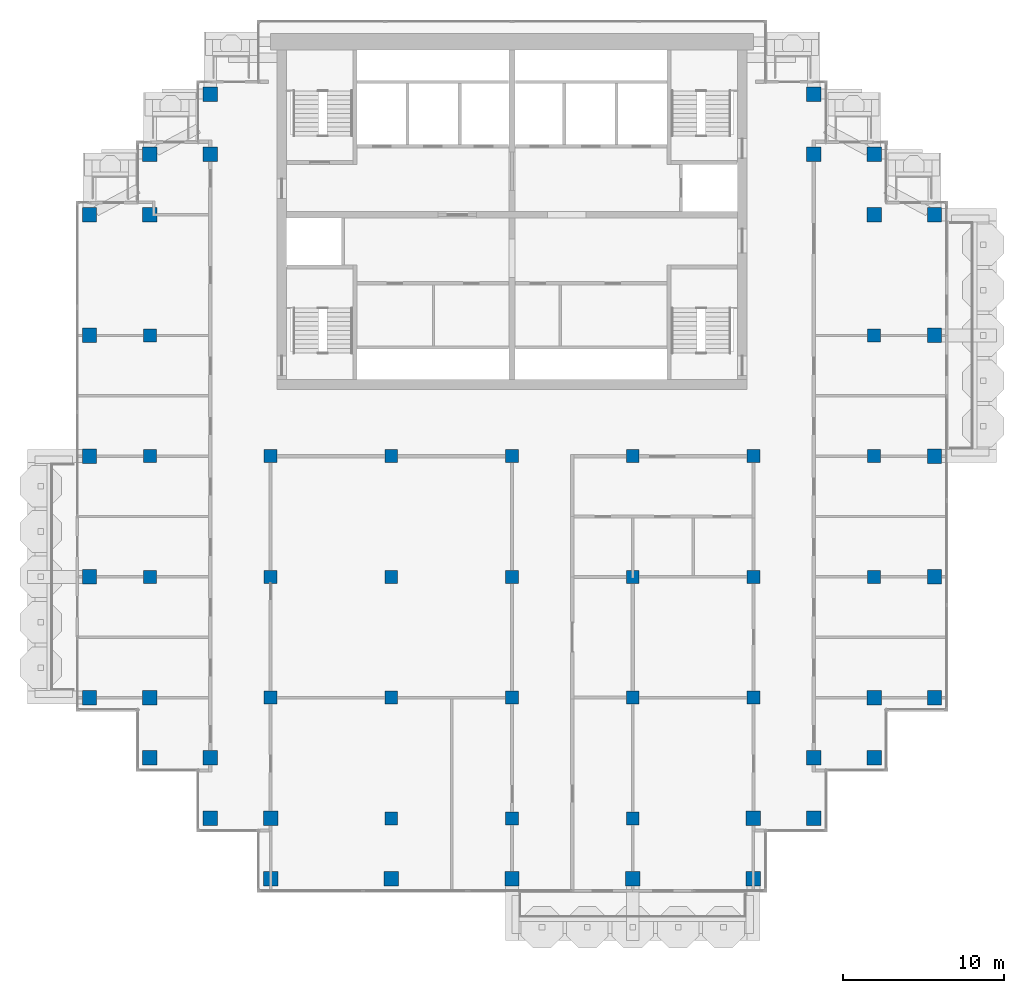
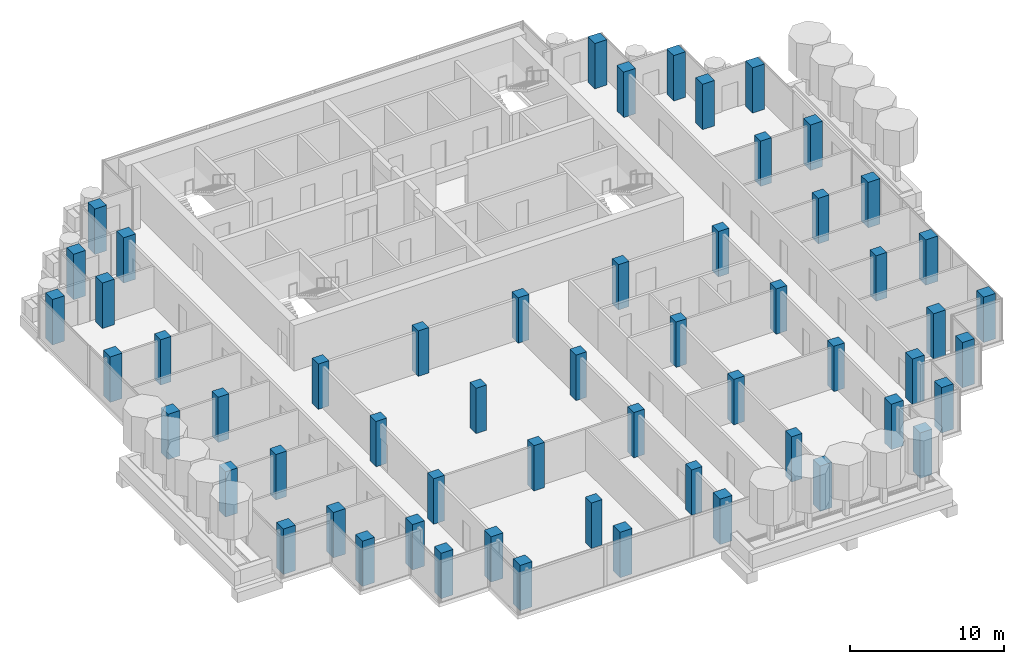
# One storey, part 1 of 19: 57 columns.
"""IFC4 building model written with IfcOpenShell, lengths in metres."""

from ifc_helpers import new_model, si_unit, direction, frame, origin, origin_2d, place, context, subcontext, project, spatial, rectangle, extrude, material, material_profile, profile_set, type_object, element, save


model = new_model("IFC4")

# Units and contexts
model_context = context("Model", 3, precision=1e-05, world=origin(), true_north=direction((0.0, 1.0)))
body_context = subcontext(model_context, "Body", "Model", "MODEL_VIEW")
ifc_project = project(units=[si_unit("LENGTHUNIT", "METRE"), si_unit("AREAUNIT", "SQUARE_METRE"), si_unit("VOLUMEUNIT", "CUBIC_METRE"), si_unit("PLANEANGLEUNIT", "RADIAN"), si_unit("MASSUNIT", "GRAM", prefix="KILO")], contexts=[model_context])

# Site, building, storey
site_placement = place(None, origin())
site = spatial("IfcSite", under=ifc_project, at=site_placement, CompositionType="ELEMENT")
building_placement = place(site_placement, origin())
building = spatial("IfcBuilding", under=site, at=building_placement, Name="Pilkhan Gate Tower", CompositionType="ELEMENT")
storey_placement = place(building_placement, frame((0.0, 0.0, 239.10009765625)))
storey = spatial("IfcBuildingStorey", under=building, at=storey_placement, Name="L62", CompositionType="ELEMENT", Elevation=239.10009765625)

# Columns
ifc_material = material(Name="Concrete C50/60", Category="concrete")
ifc_material_profile_1 = material_profile(ifc_material, rectangle(XDim=0.800048828125, YDim=0.800048828125, at=origin_2d()), Name="RC 800x800")
ifc_profile_set_1 = profile_set([ifc_material_profile_1], Name="Concrete C50/60")
column_type_1 = type_object("IfcColumnType", Name="Column C80 RC 800x800 C50/60", PredefinedType="COLUMN", material=ifc_profile_set_1)
for number, where, z_axis, x_axis, name in (
    (1, (52.5, 60.0, 0.0), (0.0, 0.0, 1.0), (1.0, 0.0, 0.0), "Column 5/F L62"),
    (2, (52.5, 67.5, 0.0), (0.0, 0.0, 1.0), (1.0, 0.0, 0.0), "Column 5/H L62"),
    (3, (52.5, 75.0, 0.0), (0.0, 0.0, 1.0), (1.0, 0.0, 0.0), "Column 5/K L62"),
    (4, (60.0, 52.5, 0.0), (0.0, 0.0, 1.0), (1.0, 0.0, 0.0), "Column 7/D L62"),
    (5, (60.0, 60.0, 0.0), (0.0, 0.0, 1.0), (1.0, 0.0, 0.0), "Column 7/F L62"),
    (6, (60.0, 67.5, 0.0), (0.0, 0.0, 1.0), (1.0, 0.0, 0.0), "Column 7/H L62"),
    (7, (67.5, 45.0, 0.0), (0.0, 0.0, 1.0), (1.0, 0.0, 0.0), "Column 9/B L62"),
    (8, (67.5, 52.5, 0.0), (0.0, 0.0, 1.0), (1.0, 0.0, 0.0), "Column 9/D L62"),
    (9, (67.5, 60.0, 0.0), (0.0, 0.0, 1.0), (1.0, 0.0, 0.0), "Column 9/F L62"),
    (10, (67.5, 67.5, 0.0), (0.0, 0.0, 1.0), (1.0, 0.0, 0.0), "Column 9/H L62"),
    (11, (75.0, 45.0, 0.0), (0.0, 0.0, 1.0), (1.0, 0.0, 0.0), "Column 11/B L62"),
    (12, (75.0, 52.5, 0.0), (0.0, 0.0, 1.0), (1.0, 0.0, 0.0), "Column 11/D L62"),
    (13, (75.0, 60.0, 0.0), (0.0, 0.0, 1.0), (1.0, 0.0, 0.0), "Column 11/F L62"),
    (14, (75.0, 67.5, 0.0), (0.0, 0.0, 1.0), (1.0, 0.0, 0.0), "Column 11/H L62"),
    (15, (82.5, 45.0, 0.0), (0.0, 0.0, 1.0), (1.0, 0.0, 0.0), "Column 13/B L62"),
    (16, (82.5, 52.5, 0.0), (0.0, 0.0, 1.0), (1.0, 0.0, 0.0), "Column 13/D L62"),
    (17, (82.5, 60.0, 0.0), (0.0, 0.0, 1.0), (1.0, 0.0, 0.0), "Column 13/F L62"),
    (18, (82.5, 67.5, 0.0), (0.0, 0.0, 1.0), (1.0, 0.0, 0.0), "Column 13/H L62"),
    (19, (90.0, 52.5, 0.0), (0.0, 0.0, 1.0), (1.0, 0.0, 0.0), "Column 15/D L62"),
    (20, (90.0, 60.0, 0.0), (0.0, 0.0, 1.0), (1.0, 0.0, 0.0), "Column 15/F L62"),
    (21, (90.0, 67.5, 0.0), (0.0, 0.0, 1.0), (1.0, 0.0, 0.0), "Column 15/H L62"),
    (22, (97.5, 60.0, 0.0), (0.0, 0.0, 1.0), (1.0, 0.0, 0.0), "Column 17/F L62"),
    (23, (97.5, 67.5, 0.0), (0.0, 0.0, 1.0), (1.0, 0.0, 0.0), "Column 17/H L62"),
    (24, (97.5, 75.0, 0.0), (0.0, 0.0, 1.0), (1.0, 0.0, 0.0), "Column 17/K L62"),
):
    element("IfcColumn", number, at=place(storey_placement, frame(where, z_axis=z_axis, x_axis=x_axis)), inside=storey, type_object=column_type_1, Name=name, PredefinedType="COLUMN", context=body_context, shape_type="SweptSolid", body=[
        extrude(rectangle(XDim=0.800048828125, YDim=0.800048828125, at=origin_2d()), origin(), (0.0, 0.0, 1.0), 3.599853515625),
    ])
ifc_material_profile_2 = material_profile(ifc_material, rectangle(XDim=0.89990234375, YDim=0.89990234375, at=origin_2d()), Name="RC 900x900")
ifc_profile_set_2 = profile_set([ifc_material_profile_2], Name="Concrete C50/60")
column_type_2 = type_object("IfcColumnType", Name="Column C90 RC 900x900 C50/60", PredefinedType="COLUMN", material=ifc_profile_set_2)
for number, where, z_axis, x_axis, name in (
    (25, (48.75, 52.5, 0.0), (0.0, 0.0, 1.0), (1.0, 0.0, 0.0), "Column 4/D L62"),
    (26, (48.75, 60.0, 0.0), (0.0, 0.0, 1.0), (1.0, 0.0, 0.0), "Column 4/F L62"),
    (27, (48.75, 67.5, 0.0), (0.0, 0.0, 1.0), (1.0, 0.0, 0.0), "Column 4/H L62"),
    (28, (48.75, 75.0, 0.0), (0.0, 0.0, 1.0), (1.0, 0.0, 0.0), "Column 4/K L62"),
    (29, (48.75, 82.5, 0.0), (0.0, 0.0, 1.0), (1.0, 0.0, 0.0), "Column 4/M L62"),
    (30, (52.5, 48.75, 0.0), (0.0, 0.0, 1.0), (1.0, 0.0, 0.0), "Column 5/C L62"),
    (31, (52.5, 52.5, 0.0), (0.0, 0.0, 1.0), (1.0, 0.0, 0.0), "Column 5/D L62"),
    (32, (52.5, 82.5, 0.0), (0.0, 0.0, 1.0), (1.0, 0.0, 0.0), "Column 5/M L62"),
    (33, (52.5, 86.25, 0.0), (0.0, 0.0, 1.0), (1.0, 0.0, 0.0), "Column 5/N L62"),
    (34, (56.25, 45.0, 0.0), (0.0, 0.0, 1.0), (1.0, 0.0, 0.0), "Column 6/B L62"),
    (35, (56.25, 48.75, 0.0), (0.0, 0.0, 1.0), (1.0, 0.0, 0.0), "Column 6/C L62"),
    (36, (56.25, 86.25, 0.0), (0.0, 0.0, 1.0), (1.0, 0.0, 0.0), "Column 6/N L62"),
    (37, (56.25, 90.0, 0.0), (0.0, 0.0, 1.0), (1.0, 0.0, 0.0), "Column 6/P L62"),
    (38, (60.0, 41.25, 0.0), (0.0, 0.0, 1.0), (1.0, 0.0, 0.0), "Column 7/A L62"),
    (39, (60.0, 45.0, 0.0), (0.0, 0.0, 1.0), (1.0, 0.0, 0.0), "Column 7/B L62"),
    (40, (67.5, 41.25, 0.0), (0.0, 0.0, 1.0), (1.0, 0.0, 0.0), "Column 9/A L62"),
    (41, (75.0, 41.25, 0.0), (0.0, 0.0, 1.0), (1.0, 0.0, 0.0), "Column 11/A L62"),
    (42, (82.5, 41.25, 0.0), (0.0, 0.0, 1.0), (1.0, 0.0, 0.0), "Column 13/A L62"),
    (43, (90.0, 41.25, 0.0), (0.0, 0.0, 1.0), (1.0, 0.0, 0.0), "Column 15/A L62"),
    (44, (90.0, 45.0, 0.0), (0.0, 0.0, 1.0), (1.0, 0.0, 0.0), "Column 15/B L62"),
    (45, (93.75, 45.0, 0.0), (0.0, 0.0, 1.0), (1.0, 0.0, 0.0), "Column 16/B L62"),
    (46, (93.75, 48.75, 0.0), (0.0, 0.0, 1.0), (1.0, 0.0, 0.0), "Column 16/C L62"),
    (47, (93.75, 86.25, 0.0), (0.0, 0.0, 1.0), (1.0, 0.0, 0.0), "Column 16/N L62"),
    (48, (93.75, 90.0, 0.0), (0.0, 0.0, 1.0), (1.0, 0.0, 0.0), "Column 16/P L62"),
    (49, (97.5, 48.75, 0.0), (0.0, 0.0, 1.0), (1.0, 0.0, 0.0), "Column 17/C L62"),
    (50, (97.5, 52.5, 0.0), (0.0, 0.0, 1.0), (1.0, 0.0, 0.0), "Column 17/D L62"),
    (51, (97.5, 82.5, 0.0), (0.0, 0.0, 1.0), (1.0, 0.0, 0.0), "Column 17/M L62"),
    (52, (97.5, 86.25, 0.0), (0.0, 0.0, 1.0), (1.0, 0.0, 0.0), "Column 17/N L62"),
    (53, (101.25, 52.5, 0.0), (0.0, 0.0, 1.0), (1.0, 0.0, 0.0), "Column 18/D L62"),
    (54, (101.25, 60.0, 0.0), (0.0, 0.0, 1.0), (1.0, 0.0, 0.0), "Column 18/F L62"),
    (55, (101.25, 67.5, 0.0), (0.0, 0.0, 1.0), (1.0, 0.0, 0.0), "Column 18/H L62"),
    (56, (101.25, 75.0, 0.0), (0.0, 0.0, 1.0), (1.0, 0.0, 0.0), "Column 18/K L62"),
    (57, (101.25, 82.5, 0.0), (0.0, 0.0, 1.0), (1.0, 0.0, 0.0), "Column 18/M L62"),
):
    element("IfcColumn", number, at=place(storey_placement, frame(where, z_axis=z_axis, x_axis=x_axis)), inside=storey, type_object=column_type_2, Name=name, PredefinedType="COLUMN", context=body_context, shape_type="SweptSolid", body=[
        extrude(rectangle(XDim=0.89990234375, YDim=0.89990234375, at=origin_2d()), origin(), (0.0, 0.0, 1.0), 3.599853515625),
    ])

save(model, "model.ifc")
